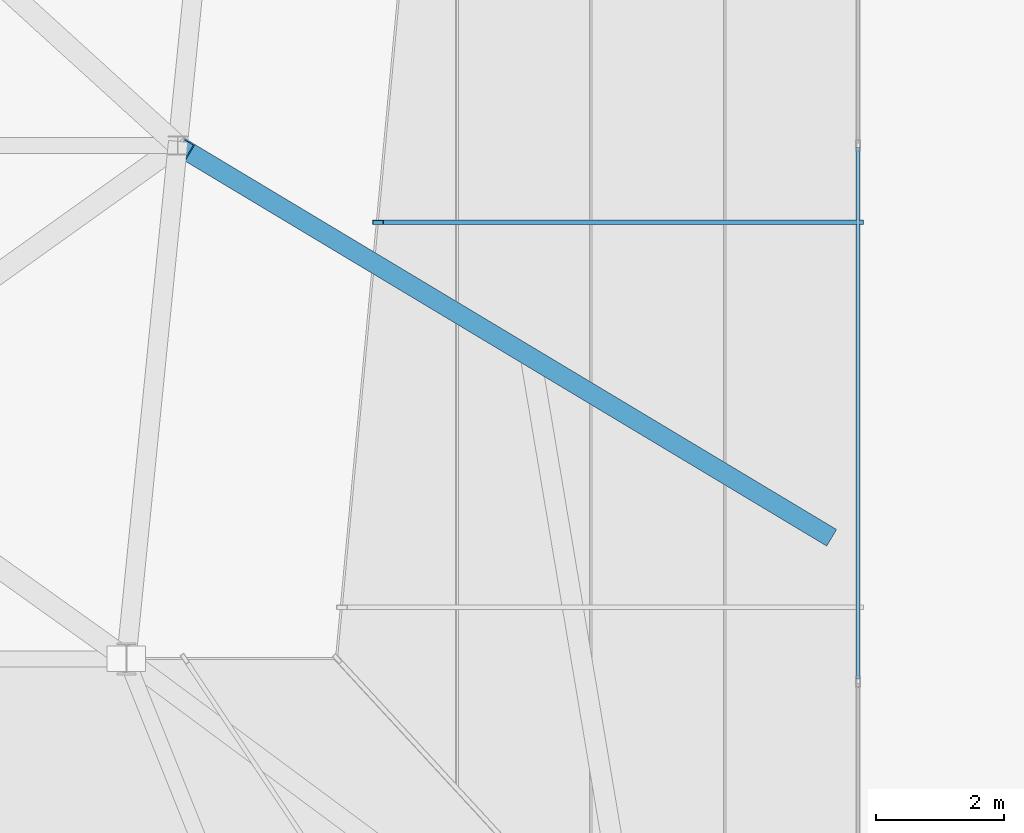
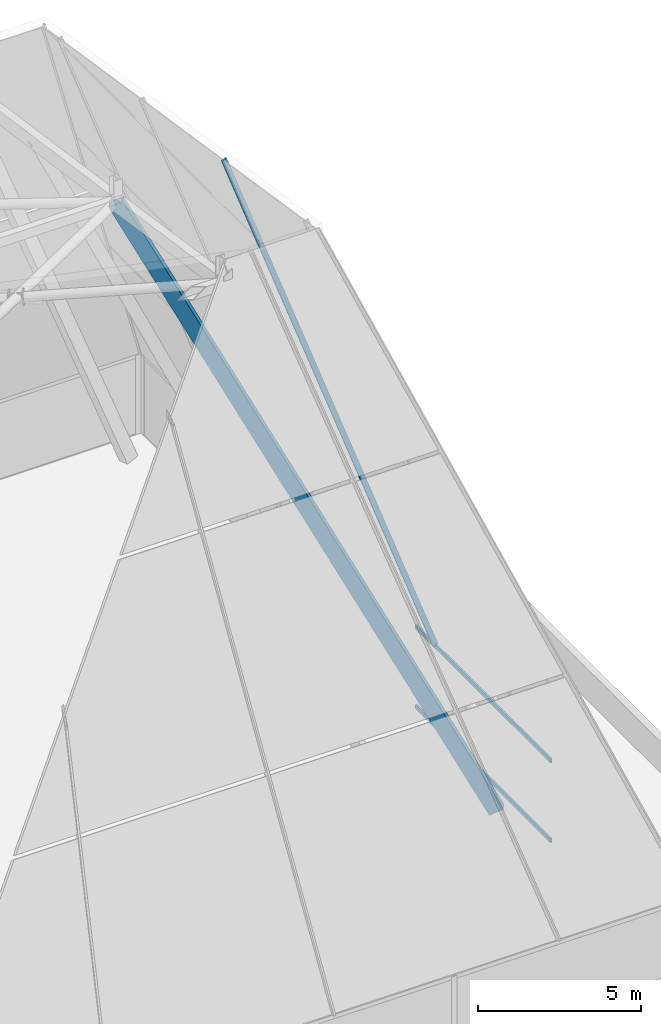
# One storey, part 16 of 32: 4 members, 1 element without a shape of its own.
"""IFC4 building model written with IfcOpenShell, lengths in metres."""

from ifc_helpers import new_model, si_unit, direction, frame, origin, origin_2d, place, context, subcontext, project, spatial, hollow_rectangle, extrude, source, transform, mapped, material, layer, layer_set, material_profile, profile_set, type_object, element, aggregate, save


model = new_model("IFC4")

# Units and contexts
model_context = context("Model", 3, precision=1e-05, world=origin(), true_north=direction((0.0, 1.0)))
body_context = subcontext(model_context, "Body", "Model", "MODEL_VIEW")
ifc_project = project(units=[si_unit("LENGTHUNIT", "METRE"), si_unit("AREAUNIT", "SQUARE_METRE"), si_unit("VOLUMEUNIT", "CUBIC_METRE"), si_unit("PLANEANGLEUNIT", "RADIAN"), si_unit("MASSUNIT", "GRAM", prefix="KILO")], contexts=[model_context])

# Site, building, storey
site_placement = place(None, origin())
site = spatial("IfcSite", under=ifc_project, at=site_placement, CompositionType="ELEMENT")
building_placement = place(site_placement, origin())
building = spatial("IfcBuilding", under=site, at=building_placement, Name="Sumidabori Civic Tower", CompositionType="ELEMENT")
storey_placement = place(building_placement, frame((0.0, 0.0, 298.199951171875)))
storey = spatial("IfcBuildingStorey", under=building, at=storey_placement, Name="RF Roof Crown", CompositionType="ELEMENT", Elevation=298.199951171875)

# Member
ifc_material_1 = material(Name="Steel SN490", Category="steel")
ifc_material_profile_1 = material_profile(ifc_material_1, hollow_rectangle(XDim=0.300048828125, YDim=0.5, WallThickness=0.02001953125, at=origin_2d()), Name="RHS 500x300x20")
ifc_profile_set_1 = profile_set([ifc_material_profile_1], Name="Steel SN490")
member_type_1 = type_object("IfcMemberType", Name="MB-CRN-RAFTER", PredefinedType="RAFTER", material=ifc_profile_set_1)
shared_shape_1 = source(origin(), body_context, "Body", "SweptSolid", [
    extrude(hollow_rectangle(XDim=0.300048828125, YDim=0.5, WallThickness=0.02001953125, at=origin_2d()), origin(), (0.0, 0.0, 1.0), 25.431640625),
])
member_1_placement = place(storey_placement, frame((16.0, 0.0, 0.0), z_axis=(-0.393212161797, 0.235927297078, 0.888663325624), x_axis=(-0.514495755428, -0.857492925713, 0.0)))
element("IfcMember", 1, at=member_1_placement, inside=storey, type_object=member_type_1, Name="Crown Structural Rafter RF-ME", PredefinedType="RAFTER", context=body_context, shape_type="MappedRepresentation", body=[
    mapped(shared_shape_1, transform((0.0, 0.0, 0.0), x_axis=(1.0, 0.0, 0.0), y_axis=(0.0, 1.0, 0.0), z_axis=(0.0, 0.0, 1.0), scale=1.0)),
])

# Curtain wall, members
ifc_material_2 = material(Name="Anodised Bronze Aluminium AW-6063-T6", Category="aluminium")
ifc_layer = layer(ifc_material_2, 0.179931640625, Name="Anodised Bronze Aluminium AW-6063-T6")
ifc_layer_set = layer_set([ifc_layer], Name="Anodised Bronze Aluminium AW-6063-T6")
curtain_wall_type = type_object("IfcCurtainWallType", Name="CW-SYS-6", PredefinedType="NOTDEFINED", material=ifc_layer_set)
curtain_wall_placement = place(storey_placement, origin())
curtain_wall = element("IfcCurtainWall", 2, at=curtain_wall_placement, inside=storey, type_object=curtain_wall_type, Name="Glass-Point Crown East Cheek Curtain Wall", PredefinedType="NOTDEFINED")
ifc_material_profile_2 = material_profile(ifc_material_2, hollow_rectangle(XDim=0.06494140625, YDim=0.14990234375, WallThickness=0.0048828125, at=origin_2d()), Name="ALU TRANSOM 150x65")
ifc_profile_set_2 = profile_set([ifc_material_profile_2], Name="Anodised Bronze Aluminium AW-6063-T6")
member_type_2 = type_object("IfcMemberType", Name="CW-TRN-150", PredefinedType="USERDEFINED", material=ifc_profile_set_2)
shared_shape_2 = source(origin(), body_context, "Body", "SweptSolid", [
    extrude(hollow_rectangle(XDim=0.06494140625, YDim=0.14990234375, WallThickness=0.0048828125, at=origin_2d()), origin(), (0.0, 0.0, 1.0), 8.280029296875),
])
member_2_placement = place(storey_placement, frame((16.60009765625, -2.31494140625, 0.032470703125), z_axis=(0.0, 1.0, 0.0), x_axis=(-1.0, 0.0, 0.0)))
member_2 = element("IfcMember", 3, at=member_2_placement, type_object=member_type_2, Name="CW-6 transom 2.1", ObjectType="TRANSOM", PredefinedType="USERDEFINED", context=body_context, shape_type="MappedRepresentation", body=[
    mapped(shared_shape_2, transform((0.0, 0.0, 0.0), x_axis=(1.0, 0.0, 0.0), y_axis=(0.0, 1.0, 0.0), z_axis=(0.0, 0.0, 1.0), scale=1.0)),
])
member_3_placement = place(storey_placement, frame((16.60009765625, -2.31494140625, 3.017578125), z_axis=(0.0, 1.0, 0.0), x_axis=(-1.0, 0.0, 0.0)))
member_3 = element("IfcMember", 4, at=member_3_placement, type_object=member_type_2, Name="CW-6 transom 2.2", ObjectType="TRANSOM", PredefinedType="USERDEFINED", context=body_context, shape_type="MappedRepresentation", body=[
    mapped(shared_shape_2, transform((0.0, 0.0, 0.0), x_axis=(1.0, 0.0, 0.0), y_axis=(0.0, 1.0, 0.0), z_axis=(0.0, 0.0, 1.0), scale=1.0)),
])
ifc_material_profile_3 = material_profile(ifc_material_2, hollow_rectangle(XDim=0.070068359375, YDim=0.179931640625, WallThickness=0.006103515625, at=origin_2d()), Name="ALU MULLION 180x70")
ifc_profile_set_3 = profile_set([ifc_material_profile_3], Name="Anodised Bronze Aluminium AW-6063-T6")
member_type_3 = type_object("IfcMemberType", Name="CW-MUL-180", PredefinedType="MULLION", material=ifc_profile_set_3)
shared_shape_3 = source(origin(), body_context, "Body", "SweptSolid", [
    extrude(hollow_rectangle(XDim=0.070068359375, YDim=0.179931640625, WallThickness=0.006103515625, at=origin_2d()), origin(), (0.0, 0.0, 1.0), 22.0771484375),
])
member_4_placement = place(storey_placement, frame((16.60009765625, 4.800048828125, 3.050048828125), z_axis=(-0.33872416738, 0.0, 0.940885720177), x_axis=(0.0, -1.0, 0.0)))
member_4 = element("IfcMember", 5, at=member_4_placement, type_object=member_type_3, Name="Crown East Cheek Sloped Mullion M2", PredefinedType="MULLION", context=body_context, shape_type="MappedRepresentation", body=[
    mapped(shared_shape_3, transform((0.0, 0.0, 0.0), x_axis=(1.0, 0.0, 0.0), y_axis=(0.0, 1.0, 0.0), z_axis=(0.0, 0.0, 1.0), scale=1.0)),
])
aggregate(curtain_wall, [member_2, member_3, member_4])

save(model, "model.ifc")
